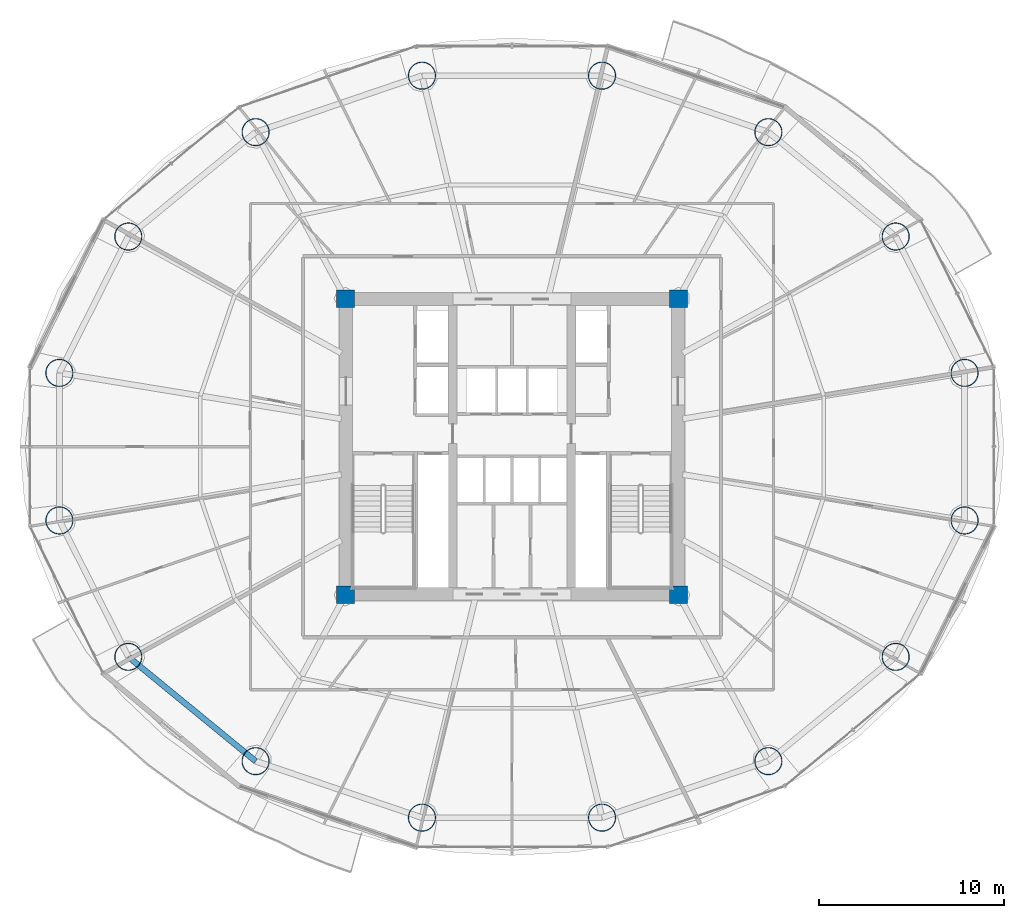
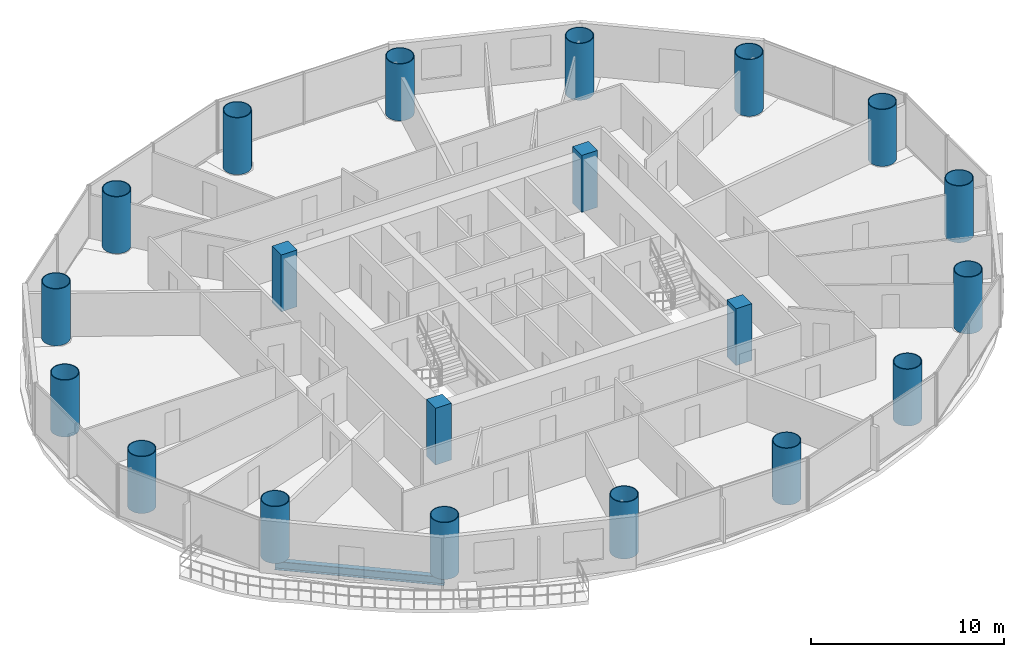
# One storey, part 1 of 28: 20 columns, 1 beam.
"""IFC4 building model written with IfcOpenShell, lengths in metres."""

from ifc_helpers import new_model, si_unit, direction, frame, origin, origin_2d, place, context, subcontext, project, spatial, rectangle, hollow_circle, i_section, extrude, material, material_profile, profile_set, type_object, element, save


model = new_model("IFC4")

# Units and contexts
model_context = context("Model", 3, precision=1e-05, world=origin(), true_north=direction((-0.2419218956, 0.970295726276)))
body_context = subcontext(model_context, "Body", "Model", "MODEL_VIEW")
ifc_project = project(units=[si_unit("LENGTHUNIT", "METRE"), si_unit("AREAUNIT", "SQUARE_METRE"), si_unit("VOLUMEUNIT", "CUBIC_METRE"), si_unit("PLANEANGLEUNIT", "RADIAN"), si_unit("MASSUNIT", "GRAM", prefix="KILO")], contexts=[model_context])

# Site, building, storey
site_placement = place(None, origin())
site = spatial("IfcSite", under=ifc_project, at=site_placement, CompositionType="ELEMENT")
building_placement = place(site_placement, origin())
building = spatial("IfcBuilding", under=site, at=building_placement, Name="Cobrevalo Terracotta Tower", CompositionType="ELEMENT")
storey_placement = place(building_placement, frame((0.0, 0.0, 101.39990234375)))
storey = spatial("IfcBuildingStorey", under=building, at=storey_placement, Name="L26", CompositionType="ELEMENT", Elevation=101.39990234375)

# Columns
ifc_material_1 = material(Name="Steel S355", Category="steel")
ifc_material_profile_1 = material_profile(ifc_material_1, hollow_circle(Radius=0.75, WallThickness=0.044921875, at=origin_2d()), Name="CHS 1500x45")
ifc_profile_set_1 = profile_set([ifc_material_profile_1], Name="Steel S355")
column_type_1 = type_object("IfcColumnType", Name="Structural Column CHS 1500x45 (Steel S355)", PredefinedType="COLUMN", material=ifc_profile_set_1)
for number, where, z_axis, x_axis, name in (
    (1, (62.470703125, 30.78955078125, 0.0), (0.0, 0.0, 1.0), (1.0, 0.0, 0.0), "L26 composite megacolumn MC01"),
    (2, (58.7451171875, 38.161376953125, 0.0), (0.0, 0.0, 1.0), (1.0, 0.0, 0.0), "L26 composite megacolumn MC02"),
    (3, (51.861572265625, 43.803466796875, 0.0), (0.0, 0.0, 1.0), (1.0, 0.0, 0.0), "L26 composite megacolumn MC03"),
    (4, (42.867431640625, 46.857177734375, 0.0), (0.0, 0.0, 1.0), (1.0, 0.0, 0.0), "L26 composite megacolumn MC04"),
    (5, (33.132568359375, 46.857177734375, 0.0), (0.0, 0.0, 1.0), (1.0, 0.0, 0.0), "L26 composite megacolumn MC05"),
    (6, (24.138427734375, 43.803466796875, 0.0), (0.0, 0.0, 1.0), (1.0, 0.0, 0.0), "L26 composite megacolumn MC06"),
    (7, (17.2548828125, 38.161376953125, 0.0), (0.0, 0.0, 1.0), (1.0, 0.0, 0.0), "L26 composite megacolumn MC07"),
    (8, (13.529296875, 30.78955078125, 0.0), (0.0, 0.0, 1.0), (1.0, 0.0, 0.0), "L26 composite megacolumn MC08"),
    (9, (13.529296875, 22.810302734375, 0.0), (0.0, 0.0, 1.0), (1.0, 0.0, 0.0), "L26 composite megacolumn MC09"),
    (10, (17.2548828125, 15.4384765625, 0.0), (0.0, 0.0, 1.0), (1.0, 0.0, 0.0), "L26 composite megacolumn MC10"),
    (11, (24.138427734375, 9.79638671875, 0.0), (0.0, 0.0, 1.0), (1.0, 0.0, 0.0), "L26 composite megacolumn MC11"),
    (12, (33.132568359375, 6.742919921875, 0.0), (0.0, 0.0, 1.0), (1.0, 0.0, 0.0), "L26 composite megacolumn MC12"),
    (13, (42.867431640625, 6.742919921875, 0.0), (0.0, 0.0, 1.0), (1.0, 0.0, 0.0), "L26 composite megacolumn MC13"),
    (14, (51.861572265625, 9.79638671875, 0.0), (0.0, 0.0, 1.0), (1.0, 0.0, 0.0), "L26 composite megacolumn MC14"),
    (15, (58.7451171875, 15.4384765625, 0.0), (0.0, 0.0, 1.0), (1.0, 0.0, 0.0), "L26 composite megacolumn MC15"),
    (16, (62.470703125, 22.810302734375, 0.0), (0.0, 0.0, 1.0), (1.0, 0.0, 0.0), "L26 composite megacolumn MC16"),
):
    element("IfcColumn", number, at=place(storey_placement, frame(where, z_axis=z_axis, x_axis=x_axis)), inside=storey, type_object=column_type_1, Name=name, PredefinedType="COLUMN", context=body_context, shape_type="SweptSolid", body=[
        extrude(hollow_circle(Radius=0.75, WallThickness=0.044921875, at=origin_2d()), origin(), (0.0, 0.0, 1.0), 3.60009765625),
    ])
ifc_material_2 = material(Name="Concrete C55", Category="concrete")
ifc_material_profile_2 = material_profile(ifc_material_2, rectangle(XDim=0.949951171875, YDim=0.949951171875, at=origin_2d()), Name="RC COL 950x950")
ifc_profile_set_2 = profile_set([ifc_material_profile_2], Name="Concrete C55")
column_type_2 = type_object("IfcColumnType", Name="Structural Column RC COL 950x950 (Concrete C55)", PredefinedType="COLUMN", material=ifc_profile_set_2)
for number, where, z_axis, x_axis, name in (
    (17, (29.0, 18.800048828125, 0.0), (0.0, 0.0, 1.0), (1.0, 0.0, 0.0), "L26 core corner column CC1"),
    (18, (47.0, 18.800048828125, 0.0), (0.0, 0.0, 1.0), (1.0, 0.0, 0.0), "L26 core corner column CC2"),
    (19, (47.0, 34.800048828125, 0.0), (0.0, 0.0, 1.0), (1.0, 0.0, 0.0), "L26 core corner column CC3"),
    (20, (29.0, 34.800048828125, 0.0), (0.0, 0.0, 1.0), (1.0, 0.0, 0.0), "L26 core corner column CC4"),
):
    element("IfcColumn", number, at=place(storey_placement, frame(where, z_axis=z_axis, x_axis=x_axis)), inside=storey, type_object=column_type_2, Name=name, PredefinedType="COLUMN", context=body_context, shape_type="SweptSolid", body=[
        extrude(rectangle(XDim=0.949951171875, YDim=0.949951171875, at=origin_2d()), origin(), (0.0, 0.0, 1.0), 3.60009765625),
    ])

# Beam
ifc_material_profile_3 = material_profile(ifc_material_1, i_section(OverallWidth=0.31201171875, OverallDepth=0.54296875, WebThickness=0.0126953125, FlangeThickness=0.020263671875, at=origin_2d()), Name="W 530x150")
ifc_profile_set_3 = profile_set([ifc_material_profile_3], Name="Steel S355")
beam_type = type_object("IfcBeamType", Name="Structural Spandrel W 530x150 (Steel S355)", PredefinedType="SPANDREL", material=ifc_profile_set_3)
beam_placement = place(storey_placement, frame((17.2548828125, 15.4384765625, -0.54638671875), z_axis=(0.773400923541, -0.633917196064, 0.0), x_axis=(0.633917196064, 0.773400923541, 0.0)))
element("IfcBeam", 21, at=beam_placement, inside=storey, type_object=beam_type, Name="L26 perimeter ring spandrel 10", PredefinedType="SPANDREL", context=body_context, shape_type="SweptSolid", body=[
    extrude(i_section(OverallWidth=0.31201171875, OverallDepth=0.54296875, WebThickness=0.0126953125, FlangeThickness=0.020263671875, at=origin_2d()), origin(), (0.0, 0.0, 1.0), 8.900390625),
])

save(model, "model.ifc")
